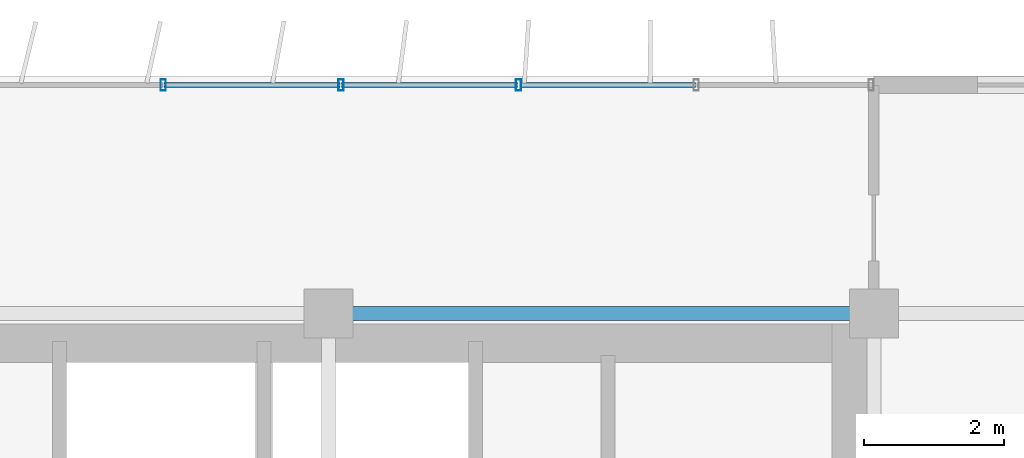
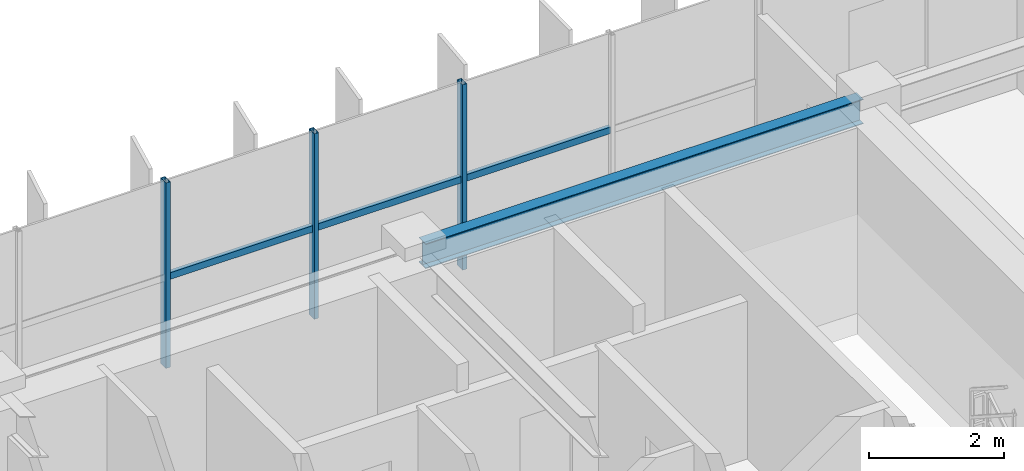
# One storey, part 12 of 23: 6 members, 1 beam, 1 element without a shape of its own.
"""IFC4 building model written with IfcOpenShell, lengths in metres."""

from ifc_helpers import new_model, si_unit, direction, frame, origin, origin_2d, place, context, subcontext, project, spatial, hollow_rectangle, i_section, extrude, source, transform, mapped, material, material_profile, profile_set, type_object, element, aggregate, save


model = new_model("IFC4")

# Units and contexts
model_context = context("Model", 3, precision=1e-05, world=origin(), true_north=direction((0.0, 1.0)))
body_context = subcontext(model_context, "Body", "Model", "MODEL_VIEW")
ifc_project = project(units=[si_unit("LENGTHUNIT", "METRE"), si_unit("AREAUNIT", "SQUARE_METRE"), si_unit("VOLUMEUNIT", "CUBIC_METRE"), si_unit("PLANEANGLEUNIT", "RADIAN"), si_unit("MASSUNIT", "GRAM", prefix="KILO")], contexts=[model_context])

# Site, building, storey
site_placement = place(None, origin())
site = spatial("IfcSite", under=ifc_project, at=site_placement, CompositionType="ELEMENT")
building_placement = place(site_placement, origin())
building = spatial("IfcBuilding", under=site, at=building_placement, Name="Trelvane Seafront Commons", CompositionType="ELEMENT")
storey_placement = place(building_placement, frame((0.0, 0.0, 190.5)))
storey = spatial("IfcBuildingStorey", under=building, at=storey_placement, Name="L49", CompositionType="ELEMENT", Elevation=190.5)

# Beam
ifc_material_1 = material(Name="Steel SM355 (S355)", Category="steel")
ifc_material_profile_1 = material_profile(ifc_material_1, i_section(OverallWidth=0.199951171875, OverallDepth=0.449951171875, WebThickness=0.009033203125, FlangeThickness=0.013916015625, at=origin_2d()), Name="H-450x200x9x14")
ifc_profile_set_1 = profile_set([ifc_material_profile_1], Name="Steel SM355 (S355)")
beam_type = type_object("IfcBeamType", Name="STR-SPD-H450", PredefinedType="SPANDREL", material=ifc_profile_set_1)
shared_shape_1 = source(origin(), body_context, "Body", "SweptSolid", [
    extrude(i_section(OverallWidth=0.199951171875, OverallDepth=0.449951171875, WebThickness=0.009033203125, FlangeThickness=0.013916015625, at=origin_2d()), origin(), (0.0, 0.0, 1.0), 7.5),
])
beam_placement = place(storey_placement, frame((51.14990234375, 45.10009765625, 3.135009765625), z_axis=(1.0, 0.0, 0.0), x_axis=(0.0, 1.0, 0.0)))
element("IfcBeam", 1, at=beam_placement, inside=storey, type_object=beam_type, Name="L49 Primary Girder G-27", PredefinedType="SPANDREL", context=body_context, shape_type="MappedRepresentation", body=[
    mapped(shared_shape_1, transform((0.0, 0.0, 0.0), x_axis=(1.0, 0.0, 0.0), y_axis=(0.0, 1.0, 0.0), z_axis=(0.0, 0.0, 1.0), scale=1.0)),
])

# Curtain wall, members
ifc_material_2 = material(Name="Anodised pale-silver aluminium", Category="aluminium")
curtain_wall_type = type_object("IfcCurtainWallType", Name="ARCH-CW5-UPTOWER", PredefinedType="NOTDEFINED", material=ifc_material_2)
curtain_wall_placement = place(storey_placement, origin())
curtain_wall = element("IfcCurtainWall", 2, at=curtain_wall_placement, inside=storey, type_object=curtain_wall_type, Name="CW-L49-0077", PredefinedType="NOTDEFINED")
ifc_material_profile_2 = material_profile(ifc_material_2, hollow_rectangle(XDim=0.070068359375, YDim=0.1201171875, WallThickness=0.00390625, at=origin_2d()), Name="TRAN-70x120x4")
ifc_profile_set_2 = profile_set([ifc_material_profile_2], Name="Anodised pale-silver aluminium")
member_type_1 = type_object("IfcMemberType", Name="ARCH-CW-TRAN-120", PredefinedType="USERDEFINED", material=ifc_profile_set_2)
shared_shape_2 = source(origin(), body_context, "Body", "SweptSolid", [
    extrude(hollow_rectangle(XDim=0.070068359375, YDim=0.1201171875, WallThickness=0.00390625, at=origin_2d()), origin(), (0.0, 0.0, 1.0), 2.51708984375),
])
member_1_placement = place(storey_placement, frame((51.1884765625, 48.3701171875, 1.613037109375), z_axis=(1.0, 0.0, 0.0), x_axis=(0.0, 1.0, 0.0)))
member_1 = element("IfcMember", 3, at=member_1_placement, type_object=member_type_1, Name="CW-L49-0077-T14", ObjectType="TRANSOM", PredefinedType="USERDEFINED", context=body_context, shape_type="MappedRepresentation", body=[
    mapped(shared_shape_2, transform((0.0, 0.0, 0.0), x_axis=(1.0, 0.0, 0.0), y_axis=(0.0, 1.0, 0.0), z_axis=(0.0, 0.0, 1.0), scale=1.0)),
])
shared_shape_3 = source(origin(), body_context, "Body", "SweptSolid", [
    extrude(hollow_rectangle(XDim=0.070068359375, YDim=0.1201171875, WallThickness=0.00390625, at=origin_2d()), origin(), (0.0, 0.0, 1.0), 2.517333984375),
])
member_2_placement = place(storey_placement, frame((48.647216796875, 48.3701171875, 1.613037109375), z_axis=(1.0, 0.0, 0.0), x_axis=(0.0, 1.0, 0.0)))
member_2 = element("IfcMember", 4, at=member_2_placement, type_object=member_type_1, Name="CW-L49-0077-T13", ObjectType="TRANSOM", PredefinedType="USERDEFINED", context=body_context, shape_type="MappedRepresentation", body=[
    mapped(shared_shape_3, transform((0.0, 0.0, 0.0), x_axis=(1.0, 0.0, 0.0), y_axis=(0.0, 1.0, 0.0), z_axis=(0.0, 0.0, 1.0), scale=1.0)),
])
member_3_placement = place(storey_placement, frame((53.7294921875, 48.3701171875, 1.613037109375), z_axis=(1.0, 0.0, 0.0), x_axis=(0.0, 1.0, 0.0)))
member_3 = element("IfcMember", 5, at=member_3_placement, type_object=member_type_1, Name="CW-L49-0077-T15", ObjectType="TRANSOM", PredefinedType="USERDEFINED", context=body_context, shape_type="MappedRepresentation", body=[
    mapped(shared_shape_3, transform((0.0, 0.0, 0.0), x_axis=(1.0, 0.0, 0.0), y_axis=(0.0, 1.0, 0.0), z_axis=(0.0, 0.0, 1.0), scale=1.0)),
])
ifc_material_profile_3 = material_profile(ifc_material_2, hollow_rectangle(XDim=0.074951171875, YDim=0.159912109375, WallThickness=0.00390625, at=origin_2d()), Name="MULL-75x160x4")
ifc_profile_set_3 = profile_set([ifc_material_profile_3], Name="Anodised pale-silver aluminium")
member_type_2 = type_object("IfcMemberType", Name="ARCH-CW-MULL-160", PredefinedType="MULLION", material=ifc_profile_set_3)
shared_shape_4 = source(origin(), body_context, "Body", "SweptSolid", [
    extrude(hollow_rectangle(XDim=0.074951171875, YDim=0.159912109375, WallThickness=0.00390625, at=origin_2d()), origin(), (0.0, 0.0, 1.0), 3.360107421875),
])
member_4_placement = place(storey_placement, frame((48.63525390625, 48.3701171875, 0.0), z_axis=(0.0, 0.0, 1.0), x_axis=(1.0, 0.0, 0.0)))
member_4 = element("IfcMember", 6, at=member_4_placement, type_object=member_type_2, Name="CW-L49-0077-M13", PredefinedType="MULLION", context=body_context, shape_type="MappedRepresentation", body=[
    mapped(shared_shape_4, transform((0.0, 0.0, 0.0), x_axis=(1.0, 0.0, 0.0), y_axis=(0.0, 1.0, 0.0), z_axis=(0.0, 0.0, 1.0), scale=1.0)),
])
member_5_placement = place(storey_placement, frame((51.176513671875, 48.3701171875, 0.0), z_axis=(0.0, 0.0, 1.0), x_axis=(1.0, 0.0, 0.0)))
member_5 = element("IfcMember", 7, at=member_5_placement, type_object=member_type_2, Name="CW-L49-0077-M14", PredefinedType="MULLION", context=body_context, shape_type="MappedRepresentation", body=[
    mapped(shared_shape_4, transform((0.0, 0.0, 0.0), x_axis=(1.0, 0.0, 0.0), y_axis=(0.0, 1.0, 0.0), z_axis=(0.0, 0.0, 1.0), scale=1.0)),
])
member_6_placement = place(storey_placement, frame((53.717529296875, 48.3701171875, 0.0), z_axis=(0.0, 0.0, 1.0), x_axis=(1.0, 0.0, 0.0)))
member_6 = element("IfcMember", 8, at=member_6_placement, type_object=member_type_2, Name="CW-L49-0077-M15", PredefinedType="MULLION", context=body_context, shape_type="MappedRepresentation", body=[
    mapped(shared_shape_4, transform((0.0, 0.0, 0.0), x_axis=(1.0, 0.0, 0.0), y_axis=(0.0, 1.0, 0.0), z_axis=(0.0, 0.0, 1.0), scale=1.0)),
])
aggregate(curtain_wall, [member_4, member_5, member_6, member_2, member_1, member_3])

save(model, "model.ifc")
